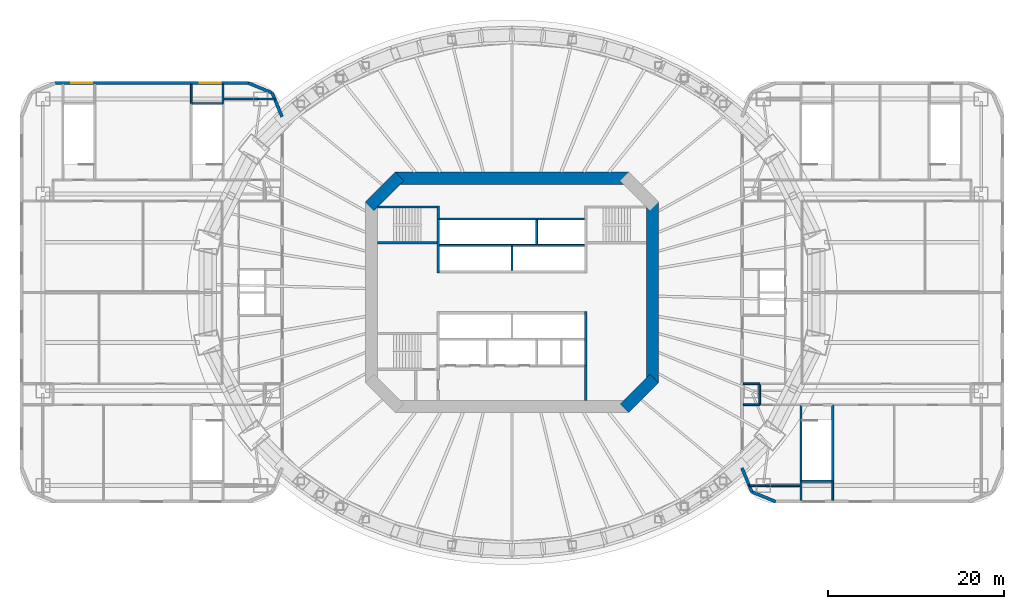
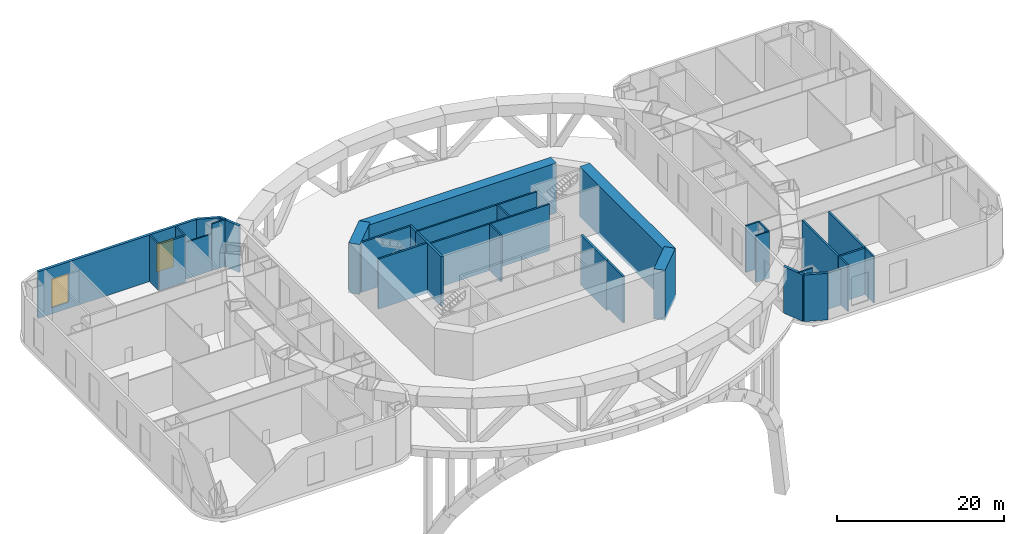
# One storey, part 9 of 13: 34 walls, 2 windows, 2 openings.
"""IFC4 building model written with IfcOpenShell, lengths in metres."""

from ifc_helpers import new_model, si_unit, direction, frame, frame_2d, origin, place, context, subcontext, project, spatial, rectangle, extrude, material, layer, layer_set, type_object, element, fill, save


model = new_model("IFC4")

# Units and contexts
model_context = context("Model", 3, precision=1e-05, world=origin(), true_north=direction((0.0, 1.0)))
body_context = subcontext(model_context, "Body", "Model", "MODEL_VIEW")
ifc_project = project(units=[si_unit("LENGTHUNIT", "METRE"), si_unit("AREAUNIT", "SQUARE_METRE"), si_unit("VOLUMEUNIT", "CUBIC_METRE"), si_unit("PLANEANGLEUNIT", "RADIAN"), si_unit("MASSUNIT", "GRAM", prefix="KILO")], contexts=[model_context])

# Site, building, storey
site_placement = place(None, origin())
site = spatial("IfcSite", under=ifc_project, at=site_placement, CompositionType="ELEMENT")
building_placement = place(site_placement, origin())
building = spatial("IfcBuilding", under=site, at=building_placement, Name="Marenthal Gate Tower", CompositionType="ELEMENT")
storey_placement = place(building_placement, frame((0.0, 0.0, 26.0)))
storey = spatial("IfcBuildingStorey", under=building, at=storey_placement, Name="L03", CompositionType="ELEMENT", Elevation=26.0)

# Walls
ifc_material_1 = material(Name="Concrete 60 MPa", Category="concrete")
ifc_layer_1 = layer(ifc_material_1, 1.39990234375)
ifc_layer_set_1 = layer_set([ifc_layer_1], Name="Core shear wall 1400")
wall_type_1 = type_object("IfcWallType", Name="Core shear wall 1400", PredefinedType="SHEAR", material=ifc_layer_set_1)
wall_1_placement = place(storey_placement, frame((12.794921875, -13.205078125, -0.5), z_axis=(0.0, 0.0, 1.0), x_axis=(0.707106781187, 0.707106781187, 0.0)))
element("IfcWall", 1, at=wall_1_placement, inside=storey, type_object=wall_type_1, Name="Core wall 01", PredefinedType="SHEAR", context=body_context, shape_type="SweptSolid", body=[
    extrude(rectangle(XDim=4.82275390625, YDim=1.39990234375, at=frame_2d((2.411376953125, 0.0))), origin(), (0.0, 0.0, 1.0), 7.320068359375),
])
wall_2_placement = place(storey_placement, frame((16.0, -10.289794921875, -0.5), z_axis=(0.0, 0.0, 1.0), x_axis=(0.0, 1.0, 0.0)))
element("IfcWall", 2, at=wall_2_placement, inside=storey, type_object=wall_type_1, Name="Core wall 02", PredefinedType="SHEAR", context=body_context, shape_type="SweptSolid", body=[
    extrude(rectangle(XDim=20.57958984375, YDim=1.39990234375, at=frame_2d((10.289794921875, 0.0))), origin(), (0.0, 0.0, 1.0), 7.320068359375),
])
wall_3_placement = place(storey_placement, frame((13.289794921875, 13.0, -0.5), z_axis=(0.0, 0.0, 1.0), x_axis=(-1.0, 0.0, 0.0)))
element("IfcWall", 3, at=wall_3_placement, inside=storey, type_object=wall_type_1, Name="Core wall 04", PredefinedType="SHEAR", context=body_context, shape_type="SweptSolid", body=[
    extrude(rectangle(XDim=26.57958984375, YDim=1.39990234375, at=frame_2d((13.289794921875, 0.0))), origin(), (0.0, 0.0, 1.0), 7.320068359375),
])
wall_4_placement = place(storey_placement, frame((-12.794921875, 13.205078125, -0.5), z_axis=(0.0, 0.0, 1.0), x_axis=(-0.707106781187, -0.707106781187, 0.0)))
element("IfcWall", 4, at=wall_4_placement, inside=storey, type_object=wall_type_1, Name="Core wall 05", PredefinedType="SHEAR", context=body_context, shape_type="SweptSolid", body=[
    extrude(rectangle(XDim=4.82275390625, YDim=1.39990234375, at=frame_2d((2.411376953125, 0.0))), origin(), (0.0, 0.0, 1.0), 7.320068359375),
])
ifc_material_2 = material(Name="Concrete 50 MPa", Category="concrete")
ifc_layer_2 = layer(ifc_material_2, 0.300048828125)
ifc_layer_set_2 = layer_set([ifc_layer_2], Name="Hoistway shear wall 300")
wall_type_2 = type_object("IfcWallType", Name="Hoistway shear wall 300", PredefinedType="SHEAR", material=ifc_layer_set_2)
for number, where, z_axis, x_axis, name in (
    (5, (-8.39990234375, 2.199951171875, -0.5), (0.0, 0.0, 1.0), (0.0, 1.0, 0.0), "Hoistway wall 24"),
    (6, (8.39990234375, -8.35009765625, -0.5), (0.0, 0.0, 1.0), (0.0, 1.0, 0.0), "Hoistway wall 33"),
):
    element("IfcWall", number, at=place(storey_placement, frame(where, z_axis=z_axis, x_axis=x_axis)), inside=storey, type_object=wall_type_2, Name=name, PredefinedType="SHEAR", context=body_context, shape_type="SweptSolid", body=[
        extrude(rectangle(XDim=6.150146484375, YDim=0.300048828125, at=frame_2d((3.0751953125, 0.0))), origin(), (0.0, 0.0, 1.0), 7.320068359375),
    ])
ifc_material_3 = material(Name="Concrete 40 MPa", Category="concrete")
ifc_layer_3 = layer(ifc_material_3, 0.219970703125)
ifc_layer_set_3 = layer_set([ifc_layer_3], Name="Hoistway wall 220")
wall_type_3 = type_object("IfcWallType", Name="Hoistway wall 220", PredefinedType="STANDARD", material=ifc_layer_set_3)
for number, where, z_axis, x_axis, name in (
    (7, (-8.25, 5.35009765625, 0.0), (0.0, 0.0, 1.0), (1.0, 0.0, 0.0), "Hoistway wall 15"),
    (8, (-8.25, 8.35009765625, 0.0), (0.0, 0.0, 1.0), (1.0, 0.0, 0.0), "Hoistway wall 18"),
):
    element("IfcWall", number, at=place(storey_placement, frame(where, z_axis=z_axis, x_axis=x_axis)), inside=storey, type_object=wall_type_3, Name=name, PredefinedType="STANDARD", context=body_context, shape_type="SweptSolid", body=[
        extrude(rectangle(XDim=16.5, YDim=0.219970703125, at=frame_2d((8.25, 0.0))), origin(), (0.0, 0.0, 1.0), 6.820068359375),
    ])
wall_5_placement = place(storey_placement, frame((0.0, 2.5, 0.0), z_axis=(0.0, 0.0, 1.0), x_axis=(0.0, 1.0, 0.0)))
element("IfcWall", 9, at=wall_5_placement, inside=storey, type_object=wall_type_3, Name="Hoistway wall 28", PredefinedType="STANDARD", context=body_context, shape_type="SweptSolid", body=[
    extrude(rectangle(XDim=2.739990234375, YDim=0.219970703125, at=frame_2d((1.3701171875, 0.0))), origin(), (0.0, 0.0, 1.0), 6.820068359375),
])
wall_6_placement = place(storey_placement, frame((2.800048828125, 5.4599609375, 0.0), z_axis=(0.0, 0.0, 1.0), x_axis=(0.0, 1.0, 0.0)))
element("IfcWall", 10, at=wall_6_placement, inside=storey, type_object=wall_type_3, Name="Hoistway wall 30", PredefinedType="STANDARD", context=body_context, shape_type="SweptSolid", body=[
    extrude(rectangle(XDim=2.780029296875, YDim=0.219970703125, at=frame_2d((1.39013671875, 0.0))), origin(), (0.0, 0.0, 1.0), 6.820068359375),
])
ifc_material_4 = material(Name="Gypsum board on steel studs", Category="steel")
ifc_layer_4 = layer(ifc_material_4, 0.199951171875)
ifc_layer_set_4 = layer_set([ifc_layer_4], Name="Partition 200")
wall_type_4 = type_object("IfcWallType", Name="Partition 200", PredefinedType="PARTITIONING", material=ifc_layer_set_4)
wall_7_placement = place(storey_placement, frame((26.951904296875, -22.0, 0.0), z_axis=(0.0, 0.0, 1.0), x_axis=(1.0, 0.0, 0.0)))
element("IfcWall", 11, at=wall_7_placement, inside=storey, type_object=wall_type_4, Name="Partition wall 77", PredefinedType="PARTITIONING", context=body_context, shape_type="SweptSolid", body=[
    extrude(rectangle(XDim=1.947998046875, YDim=0.199951171875, at=frame_2d((0.97412109375, 0.0))), origin(), (0.0, 0.0, 1.0), 6.820068359375),
])
wall_8_placement = place(storey_placement, frame((28.89990234375, -22.0, 0.0), z_axis=(0.0, 0.0, 1.0), x_axis=(1.0, 0.0, 0.0)))
element("IfcWall", 12, at=wall_8_placement, inside=storey, type_object=wall_type_4, Name="Partition wall 151", PredefinedType="PARTITIONING", context=body_context, shape_type="SweptSolid", body=[
    extrude(rectangle(XDim=4.0, YDim=0.199951171875, at=frame_2d((2.0, 0.0))), origin(), (0.0, 0.0, 1.0), 5.360107421875),
])
for number, where, z_axis, x_axis, name in (
    (13, (26.330078125, -12.800048828125, 0.0), (0.0, 0.0, 1.0), (1.0, 0.0, 0.0), "Partition wall 80"),
    (14, (26.330078125, -10.39990234375, 0.0), (0.0, 0.0, 1.0), (1.0, 0.0, 0.0), "Partition wall 84"),
):
    element("IfcWall", number, at=place(storey_placement, frame(where, z_axis=z_axis, x_axis=x_axis)), inside=storey, type_object=wall_type_4, Name=name, PredefinedType="PARTITIONING", context=body_context, shape_type="SweptSolid", body=[
        extrude(rectangle(XDim=1.873779296875, YDim=0.199951171875, at=frame_2d((0.93701171875, 0.0))), origin(), (0.0, 0.0, 1.0), 6.820068359375),
    ])
wall_9_placement = place(storey_placement, frame((-32.89990234375, 22.0, 0.0), z_axis=(0.0, 0.0, 1.0), x_axis=(1.0, 0.0, 0.0)))
element("IfcWall", 15, at=wall_9_placement, inside=storey, type_object=wall_type_4, Name="Partition wall 98", PredefinedType="PARTITIONING", context=body_context, shape_type="SweptSolid", body=[
    extrude(rectangle(XDim=4.0, YDim=0.199951171875, at=frame_2d((2.0, 0.0))), origin(), (0.0, 0.0, 1.0), 5.360107421875),
])
wall_10_placement = place(storey_placement, frame((-28.89990234375, 22.0, 0.0), z_axis=(0.0, 0.0, 1.0), x_axis=(1.0, 0.0, 0.0)))
element("IfcWall", 16, at=wall_10_placement, inside=storey, type_object=wall_type_4, Name="Partition wall 152", PredefinedType="PARTITIONING", context=body_context, shape_type="SweptSolid", body=[
    extrude(rectangle(XDim=1.947998046875, YDim=0.199951171875, at=frame_2d((0.97412109375, 0.0))), origin(), (0.0, 0.0, 1.0), 6.820068359375),
])
for number, where, z_axis, x_axis, name in (
    (17, (36.5, -23.669921875, 0.0), (0.0, 0.0, 1.0), (0.0, 1.0, 0.0), "Partition wall 05"),
    (18, (32.89990234375, -23.669921875, 0.0), (0.0, 0.0, 1.0), (0.0, 1.0, 0.0), "Partition wall 07"),
):
    element("IfcWall", number, at=place(storey_placement, frame(where, z_axis=z_axis, x_axis=x_axis)), inside=storey, type_object=wall_type_4, Name=name, PredefinedType="PARTITIONING", context=body_context, shape_type="SweptSolid", body=[
        extrude(rectangle(XDim=2.173828125, YDim=0.199951171875, at=frame_2d((1.0869140625, 0.0))), origin(), (0.0, 0.0, 1.0), 6.820068359375),
    ])
wall_11_placement = place(storey_placement, frame((28.199951171875, -12.800048828125, 0.0), z_axis=(0.0, 0.0, 1.0), x_axis=(0.0, 1.0, 0.0)))
element("IfcWall", 19, at=wall_11_placement, inside=storey, type_object=wall_type_4, Name="Partition wall 09", PredefinedType="PARTITIONING", context=body_context, shape_type="SweptSolid", body=[
    extrude(rectangle(XDim=2.400146484375, YDim=0.199951171875, at=frame_2d((1.2001953125, 0.0))), origin(), (0.0, 0.0, 1.0), 6.820068359375),
])
for number, where, z_axis, x_axis, name in (
    (20, (-32.89990234375, 21.49609375, 0.0), (0.0, 0.0, 1.0), (0.0, 1.0, 0.0), "Partition wall 14"),
    (21, (-36.5, 21.49609375, 0.0), (0.0, 0.0, 1.0), (0.0, 1.0, 0.0), "Partition wall 16"),
):
    element("IfcWall", number, at=place(storey_placement, frame(where, z_axis=z_axis, x_axis=x_axis)), inside=storey, type_object=wall_type_4, Name=name, PredefinedType="PARTITIONING", context=body_context, shape_type="SweptSolid", body=[
        extrude(rectangle(XDim=2.173828125, YDim=0.199951171875, at=frame_2d((1.0869140625, 0.0))), origin(), (0.0, 0.0, 1.0), 6.820068359375),
    ])
ifc_material_5 = material(Name="Concrete 40 MPa", Category="concrete")
ifc_layer_5 = layer(ifc_material_5, 0.25)
ifc_layer_set_5 = layer_set([ifc_layer_5], Name="Stair enclosure wall 250")
wall_type_5 = type_object("IfcWallType", Name="Stair enclosure wall 250", PredefinedType="STANDARD", material=ifc_layer_set_5)
wall_12_placement = place(storey_placement, frame((8.39990234375, -12.300048828125, 0.0), z_axis=(0.0, 0.0, 1.0), x_axis=(0.0, 1.0, 0.0)))
element("IfcWall", 22, at=wall_12_placement, inside=storey, type_object=wall_type_5, Name="Stair wall 32", PredefinedType="STANDARD", context=body_context, shape_type="SweptSolid", body=[
    extrude(rectangle(XDim=3.949951171875, YDim=0.25, at=frame_2d((1.97509765625, 0.0))), origin(), (0.0, 0.0, 1.0), 6.820068359375),
])
ifc_material_6 = material(Name="Concrete 50 MPa", Category="concrete")
ifc_layer_6 = layer(ifc_material_6, 0.25)
ifc_layer_set_6 = layer_set([ifc_layer_6], Name="Stair shear wall 250")
wall_type_6 = type_object("IfcWallType", Name="Stair shear wall 250", PredefinedType="SHEAR", material=ifc_layer_set_6)
for number, where, z_axis, x_axis, name in (
    (23, (-15.300048828125, 5.64990234375, -0.5), (0.0, 0.0, 1.0), (1.0, 0.0, 0.0), "Stair wall 16"),
    (24, (-15.300048828125, 9.699951171875, -0.5), (0.0, 0.0, 1.0), (1.0, 0.0, 0.0), "Stair wall 19"),
):
    element("IfcWall", number, at=place(storey_placement, frame(where, z_axis=z_axis, x_axis=x_axis)), inside=storey, type_object=wall_type_6, Name=name, PredefinedType="SHEAR", context=body_context, shape_type="SweptSolid", body=[
        extrude(rectangle(XDim=6.75, YDim=0.25, at=frame_2d((3.375, 0.0))), origin(), (0.0, 0.0, 1.0), 7.320068359375),
    ])
for number, where, z_axis, x_axis, name in (
    (25, (32.89990234375, -21.5, 0.0), (0.0, 0.0, 1.0), (1.0, 0.0, 0.0), "Stair wall 23"),
    (26, (-36.5, 21.5, 0.0), (0.0, 0.0, 1.0), (1.0, 0.0, 0.0), "Stair wall 31"),
):
    element("IfcWall", number, at=place(storey_placement, frame(where, z_axis=z_axis, x_axis=x_axis)), inside=storey, type_object=wall_type_6, Name=name, PredefinedType="SHEAR", context=body_context, shape_type="SweptSolid", body=[
        extrude(rectangle(XDim=3.60009765625, YDim=0.25, at=frame_2d((1.800048828125, 0.0))), origin(), (0.0, 0.0, 1.0), 6.820068359375),
    ])
for number, where, z_axis, x_axis, name in (
    (27, (36.5, -21.5, 0.0), (0.0, 0.0, 1.0), (0.0, 1.0, 0.0), "Stair wall 36"),
    (28, (32.89990234375, -21.5, 0.0), (0.0, 0.0, 1.0), (0.0, 1.0, 0.0), "Stair wall 38"),
):
    element("IfcWall", number, at=place(storey_placement, frame(where, z_axis=z_axis, x_axis=x_axis)), inside=storey, type_object=wall_type_6, Name=name, PredefinedType="SHEAR", context=body_context, shape_type="SweptSolid", body=[
        extrude(rectangle(XDim=8.699951171875, YDim=0.25, at=frame_2d((4.35009765625, 0.0))), origin(), (0.0, 0.0, 1.0), 6.820068359375),
    ])
ifc_material_7 = material(Name="Concrete 50 MPa", Category="concrete")
ifc_layer_7 = layer(ifc_material_7, 0.300048828125)
ifc_layer_set_7 = layer_set([ifc_layer_7], Name="Stair shear wall 300")
wall_type_7 = type_object("IfcWallType", Name="Stair shear wall 300", PredefinedType="SHEAR", material=ifc_layer_set_7)
wall_13_placement = place(storey_placement, frame((-8.39990234375, 8.35009765625, -0.5), z_axis=(0.0, 0.0, 1.0), x_axis=(0.0, 1.0, 0.0)))
element("IfcWall", 29, at=wall_13_placement, inside=storey, type_object=wall_type_7, Name="Stair wall 25", PredefinedType="SHEAR", context=body_context, shape_type="SweptSolid", body=[
    extrude(rectangle(XDim=1.474853515625, YDim=0.300048828125, at=frame_2d((0.7373046875, 0.0))), origin(), (0.0, 0.0, 1.0), 7.320068359375),
])
ifc_material_8 = material(Name="Terracotta cladding on insulated concrete-block backing", Category="masonry")
ifc_layer_8 = layer(ifc_material_8, 0.35009765625)
ifc_layer_set_8 = layer_set([ifc_layer_8], Name="Terracotta cladding wall 350")
wall_type_8 = type_object("IfcWallType", Name="Terracotta cladding wall 350", PredefinedType="SOLIDWALL", material=ifc_layer_set_8)
for number, where, z_axis, x_axis, name in (
    (30, (26.175048828125, -19.988525390625, 0.0), (0.0, 0.0, 1.0), (0.381727741993, -0.924274813566, 0.0), "Terracotta cladding wall L03 E10"),
    (31, (27.29638671875, -22.70361328125, 0.0), (0.0, 0.0, 1.0), (0.924274813566, -0.381727741993, 0.0), "Terracotta cladding wall L03 E11"),
    (32, (-26.175048828125, 19.988525390625, 0.0), (0.0, 0.0, 1.0), (-0.381727741993, 0.924274813566, 0.0), "Terracotta cladding wall L03 W4"),
    (33, (-27.29638671875, 22.70361328125, 0.0), (0.0, 0.0, 1.0), (-0.924274813566, 0.381727741993, 0.0), "Terracotta cladding wall L03 W5"),
):
    element("IfcWall", number, at=place(storey_placement, frame(where, z_axis=z_axis, x_axis=x_axis)), inside=storey, type_object=wall_type_8, Name=name, PredefinedType="SOLIDWALL", context=body_context, shape_type="SweptSolid", body=[
        extrude(rectangle(XDim=2.9375, YDim=0.35009765625, at=frame_2d((1.46875, 0.0))), origin(), (0.0, 0.0, 1.0), 6.820068359375),
    ])

# Wall, openings, windows
wall_14_placement = place(storey_placement, frame((-30.011474609375, 23.824951171875, 0.0), z_axis=(0.0, 0.0, 1.0), x_axis=(-1.0, 0.0, 0.0)))
wall_14 = element("IfcWall", 34, at=wall_14_placement, inside=storey, type_object=wall_type_8, Name="Terracotta cladding wall L03 W6", PredefinedType="SOLIDWALL", context=body_context, shape_type="SweptSolid", body=[
    extrude(rectangle(XDim=21.97705078125, YDim=0.35009765625, at=frame_2d((10.988525390625, 0.0))), origin(), (0.0, 0.0, 1.0), 6.820068359375),
])
opening_1_placement = place(wall_14_placement, frame((3.138427734375, 0.0, 0.89990234375)))
opening_1 = element("IfcOpeningElement", 35, at=opening_1_placement, cuts=wall_14, Name="Opening WN4-L03-87", PredefinedType="OPENING", context=body_context, shape_type="SweptSolid", body=[
    extrude(rectangle(XDim=2.39990234375, YDim=4.199951171875, at=frame_2d((1.199951171875, 2.10009765625))), frame((0.0, 0.18505859375, 0.0), z_axis=(0.0, -1.0, 0.0), x_axis=(1.0, 0.0, 0.0)), (0.0, 0.0, 1.0), 0.3701171875),
])
opening_2_placement = place(wall_14_placement, frame((17.738525390625, 0.0, 0.89990234375)))
opening_2 = element("IfcOpeningElement", 36, at=opening_2_placement, cuts=wall_14, Name="Opening WN4-L03-88", PredefinedType="OPENING", context=body_context, shape_type="SweptSolid", body=[
    extrude(rectangle(XDim=2.39990234375, YDim=4.199951171875, at=frame_2d((1.199951171875, 2.10009765625))), frame((0.0, 0.18505859375, 0.0), z_axis=(0.0, -1.0, 0.0), x_axis=(1.0, 0.0, 0.0)), (0.0, 0.0, 1.0), 0.3701171875),
])
ifc_material_9 = material(Name="Aluminium and laminated impact-rated glass", Category="aluminium")
window_type = type_object("IfcWindowType", Name="Window 2400x4200 impact-rated", PartitioningType="DOUBLE_PANEL_VERTICAL", PredefinedType="WINDOW", material=ifc_material_9)
window_1_placement = place(opening_1_placement, origin())
window_1 = element("IfcWindow", 37, at=window_1_placement, inside=storey, type_object=window_type, Name="Window L03 W6 1", OverallHeight=4.199951171875, OverallWidth=2.39990234375, PartitioningType="SINGLE_PANEL", PredefinedType="WINDOW", context=body_context, shape_type="SweptSolid", body=[
    extrude(rectangle(XDim=2.39990234375, YDim=4.199951171875, at=frame_2d((1.199951171875, 2.10009765625))), frame((0.0, 0.030029296875, 0.0), z_axis=(0.0, -1.0, 0.0), x_axis=(1.0, 0.0, 0.0)), (0.0, 0.0, 1.0), 0.06005859375),
])
fill(opening_1, window_1)
window_2_placement = place(opening_2_placement, origin())
window_2 = element("IfcWindow", 38, at=window_2_placement, inside=storey, type_object=window_type, Name="Window L03 W6 2", OverallHeight=4.199951171875, OverallWidth=2.39990234375, PartitioningType="SINGLE_PANEL", PredefinedType="WINDOW", context=body_context, shape_type="SweptSolid", body=[
    extrude(rectangle(XDim=2.39990234375, YDim=4.199951171875, at=frame_2d((1.199951171875, 2.10009765625))), frame((0.0, 0.030029296875, 0.0), z_axis=(0.0, -1.0, 0.0), x_axis=(1.0, 0.0, 0.0)), (0.0, 0.0, 1.0), 0.06005859375),
])
fill(opening_2, window_2)

save(model, "model.ifc")
